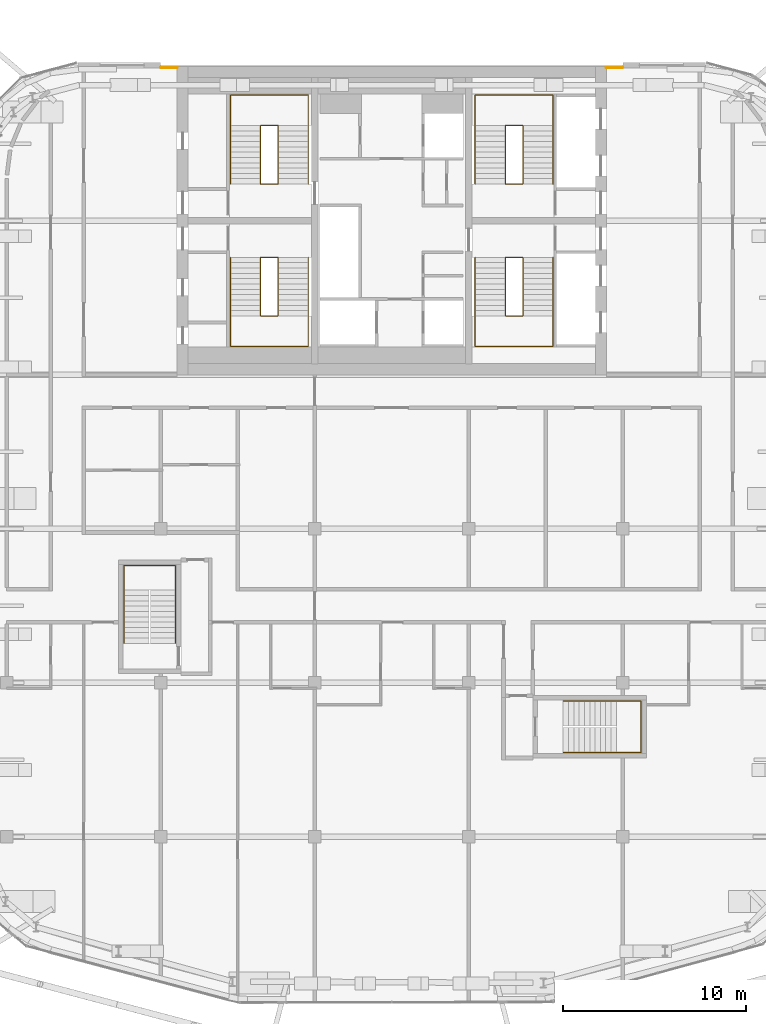
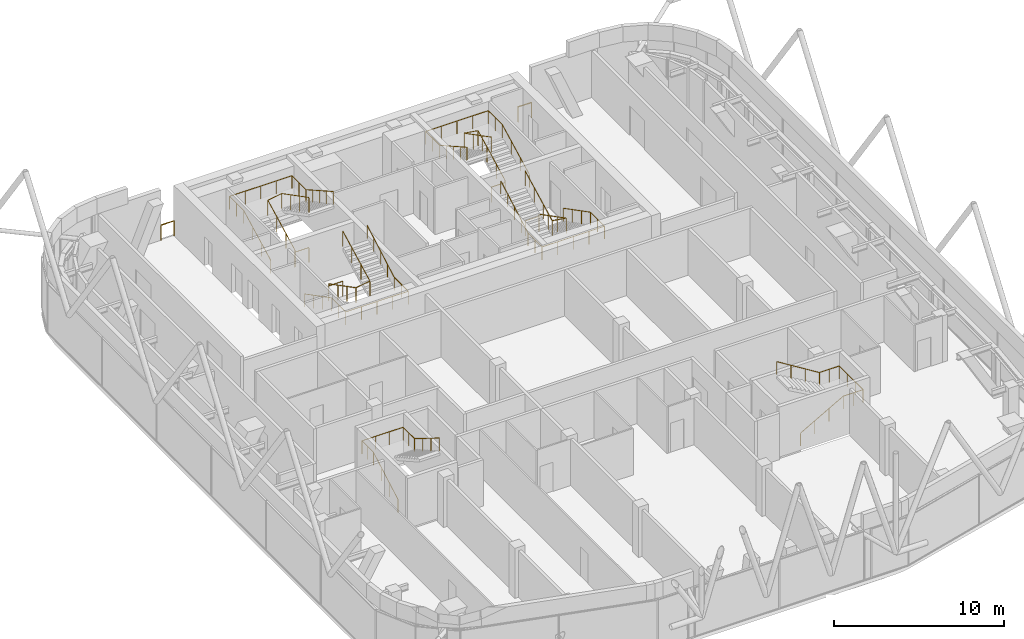
# One storey, part 25 of 25: 12 railings.
"""IFC4 building model written with IfcOpenShell, lengths in metres."""

from ifc_helpers import new_model, si_unit, direction, frame, origin, origin_2d, place, context, subcontext, project, spatial, circle, extrude, material, type_object, element, save


model = new_model("IFC4")

# Units and contexts
model_context = context("Model", 3, precision=1e-05, world=origin(), true_north=direction((0.0, 1.0)))
body_context = subcontext(model_context, "Body", "Model", "MODEL_VIEW")
ifc_project = project(units=[si_unit("LENGTHUNIT", "METRE"), si_unit("AREAUNIT", "SQUARE_METRE"), si_unit("VOLUMEUNIT", "CUBIC_METRE"), si_unit("PLANEANGLEUNIT", "RADIAN"), si_unit("MASSUNIT", "GRAM", prefix="KILO")], contexts=[model_context])

# Site, building, storey
site_placement = place(None, origin())
site = spatial("IfcSite", under=ifc_project, at=site_placement, CompositionType="ELEMENT")
building_placement = place(site_placement, origin())
building = spatial("IfcBuilding", under=site, at=building_placement, Name="Marenta Gate Hotel Tower", CompositionType="ELEMENT")
storey_placement = place(building_placement, frame((0.0, 0.0, 277.699951171875)))
storey = spatial("IfcBuildingStorey", under=building, at=storey_placement, Name="L64", CompositionType="ELEMENT", Elevation=277.699951171875)

# Railings
ifc_material_1 = material(Name="Stainless steel", Category="steel")
railing_type_1 = type_object("IfcRailingType", Name="Core stair handrail 950", PredefinedType="HANDRAIL", material=ifc_material_1)
railing_1_placement = place(storey_placement, frame((-8.800048828125, 6.39990234375, 0.150146484375)))
element("IfcRailing", 1, at=railing_1_placement, inside=storey, type_object=railing_type_1, Name="HR-950 L64-KR-ST1-1", PredefinedType="HANDRAIL", context=body_context, shape_type="SweptSolid", body=[
    extrude(circle(Radius=0.02392578125, at=origin_2d()), frame((0.0, 0.0, 0.92578125), z_axis=(0.0, -0.888225295554, 0.459408123936), x_axis=(1.0, 0.0, 0.0)), (0.0, 0.0, 1.0), 3.59130859375),
    extrude(circle(Radius=0.02392578125, at=origin_2d()), frame((0.0, -3.18994140625, 2.57568359375), z_axis=(0.0, -1.0, 0.0), x_axis=(1.0, 0.0, 0.0)), (0.0, 0.0, 1.0), 1.659912109375),
    extrude(circle(Radius=0.02392578125, at=origin_2d()), frame((0.0, -4.849853515625, 2.57568359375), z_axis=(1.0, 0.0, 0.0), x_axis=(0.0, 1.0, 0.0)), (0.0, 0.0, 1.0), 4.25),
    extrude(circle(Radius=0.02392578125, at=origin_2d()), frame((4.25, -4.849853515625, 2.57568359375), z_axis=(0.0, 1.0, 0.0), x_axis=(-1.0, 0.0, 0.0)), (0.0, 0.0, 1.0), 1.659912109375),
    extrude(circle(Radius=0.02392578125, at=origin_2d()), frame((4.25, -3.18994140625, 2.57568359375), z_axis=(0.0, 0.87090897868, 0.491444351738), x_axis=(-1.0, 0.0, 0.0)), (0.0, 0.0, 1.0), 3.662841796875),
    extrude(circle(Radius=0.02099609375, at=origin_2d()), origin(), (0.0, 0.0, 1.0), 0.90185546875),
    extrude(circle(Radius=0.02099609375, at=origin_2d()), frame((0.0, -1.063232421875, 0.550048828125)), (0.0, 0.0, 1.0), 0.90185546875),
    extrude(circle(Radius=0.02099609375, at=origin_2d()), frame((0.0, -2.126708984375, 1.099853515625)), (0.0, 0.0, 1.0), 0.90185546875),
    extrude(circle(Radius=0.02099609375, at=origin_2d()), frame((0.0, -3.18994140625, 1.64990234375)), (0.0, 0.0, 1.0), 0.90185546875),
    extrude(circle(Radius=0.02099609375, at=origin_2d()), frame((0.0, -4.02001953125, 1.64990234375)), (0.0, 0.0, 1.0), 0.90185546875),
    extrude(circle(Radius=0.02099609375, at=origin_2d()), frame((0.0, -4.849853515625, 1.64990234375)), (0.0, 0.0, 1.0), 0.90185546875),
    extrude(circle(Radius=0.02099609375, at=origin_2d()), frame((1.0625, -4.849853515625, 1.64990234375)), (0.0, 0.0, 1.0), 0.90185546875),
    extrude(circle(Radius=0.02099609375, at=origin_2d()), frame((2.125, -4.849853515625, 1.64990234375)), (0.0, 0.0, 1.0), 0.90185546875),
    extrude(circle(Radius=0.02099609375, at=origin_2d()), frame((3.1875, -4.849853515625, 1.64990234375)), (0.0, 0.0, 1.0), 0.90185546875),
    extrude(circle(Radius=0.02099609375, at=origin_2d()), frame((4.25, -4.849853515625, 1.64990234375)), (0.0, 0.0, 1.0), 0.90185546875),
    extrude(circle(Radius=0.02099609375, at=origin_2d()), frame((4.25, -4.02001953125, 1.64990234375)), (0.0, 0.0, 1.0), 0.90185546875),
    extrude(circle(Radius=0.02099609375, at=origin_2d()), frame((4.25, -3.18994140625, 1.64990234375)), (0.0, 0.0, 1.0), 0.90185546875),
    extrude(circle(Radius=0.02099609375, at=origin_2d()), frame((4.25, -2.392578125, 2.099853515625)), (0.0, 0.0, 1.0), 0.90185546875),
    extrude(circle(Radius=0.02099609375, at=origin_2d()), frame((4.25, -1.594970703125, 2.5498046875)), (0.0, 0.0, 1.0), 0.90185546875),
    extrude(circle(Radius=0.02099609375, at=origin_2d()), frame((4.25, -0.79736328125, 3.0)), (0.0, 0.0, 1.0), 0.90185546875),
    extrude(circle(Radius=0.02099609375, at=origin_2d()), frame((4.25, 0.0, 3.449951171875)), (0.0, 0.0, 1.0), 0.90185546875),
])
railing_2_placement = place(storey_placement, frame((-8.800048828125, 10.39990234375, 0.150146484375)))
element("IfcRailing", 2, at=railing_2_placement, inside=storey, type_object=railing_type_1, Name="HR-950 L64-KR-ST2-1", PredefinedType="HANDRAIL", context=body_context, shape_type="SweptSolid", body=[
    extrude(circle(Radius=0.02392578125, at=origin_2d()), frame((0.0, 0.0, 0.92578125), z_axis=(0.0, 0.888239641807, 0.459380385653), x_axis=(-1.0, 0.0, 0.0)), (0.0, 0.0, 1.0), 3.591552734375),
    extrude(circle(Radius=0.02392578125, at=origin_2d()), frame((0.0, 3.190185546875, 2.57568359375), z_axis=(0.0, 1.0, 0.0), x_axis=(-1.0, 0.0, 0.0)), (0.0, 0.0, 1.0), 1.659912109375),
    extrude(circle(Radius=0.02392578125, at=origin_2d()), frame((0.0, 4.85009765625, 2.57568359375), z_axis=(1.0, 0.0, 0.0), x_axis=(0.0, 1.0, 0.0)), (0.0, 0.0, 1.0), 4.25),
    extrude(circle(Radius=0.02392578125, at=origin_2d()), frame((4.25, 4.85009765625, 2.57568359375), z_axis=(0.0, -1.0, 0.0), x_axis=(1.0, 0.0, 0.0)), (0.0, 0.0, 1.0), 1.659912109375),
    extrude(circle(Radius=0.02392578125, at=origin_2d()), frame((4.25, 3.190185546875, 2.57568359375), z_axis=(0.0, -0.870925075533, 0.491415824742), x_axis=(1.0, 0.0, 0.0)), (0.0, 0.0, 1.0), 3.6630859375),
    extrude(circle(Radius=0.02099609375, at=origin_2d()), origin(), (0.0, 0.0, 1.0), 0.90185546875),
    extrude(circle(Radius=0.02099609375, at=origin_2d()), frame((0.0, 1.0634765625, 0.550048828125)), (0.0, 0.0, 1.0), 0.90185546875),
    extrude(circle(Radius=0.02099609375, at=origin_2d()), frame((0.0, 2.126708984375, 1.099853515625)), (0.0, 0.0, 1.0), 0.90185546875),
    extrude(circle(Radius=0.02099609375, at=origin_2d()), frame((0.0, 3.190185546875, 1.64990234375)), (0.0, 0.0, 1.0), 0.90185546875),
    extrude(circle(Radius=0.02099609375, at=origin_2d()), frame((0.0, 4.02001953125, 1.64990234375)), (0.0, 0.0, 1.0), 0.90185546875),
    extrude(circle(Radius=0.02099609375, at=origin_2d()), frame((0.0, 4.85009765625, 1.64990234375)), (0.0, 0.0, 1.0), 0.90185546875),
    extrude(circle(Radius=0.02099609375, at=origin_2d()), frame((1.0625, 4.85009765625, 1.64990234375)), (0.0, 0.0, 1.0), 0.90185546875),
    extrude(circle(Radius=0.02099609375, at=origin_2d()), frame((2.125, 4.85009765625, 1.64990234375)), (0.0, 0.0, 1.0), 0.90185546875),
    extrude(circle(Radius=0.02099609375, at=origin_2d()), frame((3.1875, 4.85009765625, 1.64990234375)), (0.0, 0.0, 1.0), 0.90185546875),
    extrude(circle(Radius=0.02099609375, at=origin_2d()), frame((4.25, 4.85009765625, 1.64990234375)), (0.0, 0.0, 1.0), 0.90185546875),
    extrude(circle(Radius=0.02099609375, at=origin_2d()), frame((4.25, 4.02001953125, 1.64990234375)), (0.0, 0.0, 1.0), 0.90185546875),
    extrude(circle(Radius=0.02099609375, at=origin_2d()), frame((4.25, 3.190185546875, 1.64990234375)), (0.0, 0.0, 1.0), 0.90185546875),
    extrude(circle(Radius=0.02099609375, at=origin_2d()), frame((4.25, 2.392578125, 2.099853515625)), (0.0, 0.0, 1.0), 0.90185546875),
    extrude(circle(Radius=0.02099609375, at=origin_2d()), frame((4.25, 1.59521484375, 2.5498046875)), (0.0, 0.0, 1.0), 0.90185546875),
    extrude(circle(Radius=0.02099609375, at=origin_2d()), frame((4.25, 0.797607421875, 3.0)), (0.0, 0.0, 1.0), 0.90185546875),
    extrude(circle(Radius=0.02099609375, at=origin_2d()), frame((4.25, 0.0, 3.449951171875)), (0.0, 0.0, 1.0), 0.90185546875),
])
railing_3_placement = place(storey_placement, frame((8.800048828125, 6.39990234375, 0.150146484375)))
element("IfcRailing", 3, at=railing_3_placement, inside=storey, type_object=railing_type_1, Name="HR-950 L64-KR-ST3-1", PredefinedType="HANDRAIL", context=body_context, shape_type="SweptSolid", body=[
    extrude(circle(Radius=0.02392578125, at=origin_2d()), frame((0.0, 0.0, 0.92578125), z_axis=(0.0, -0.888225295554, 0.459408123936), x_axis=(1.0, 0.0, 0.0)), (0.0, 0.0, 1.0), 3.59130859375),
    extrude(circle(Radius=0.02392578125, at=origin_2d()), frame((0.0, -3.18994140625, 2.57568359375), z_axis=(0.0, -1.0, 0.0), x_axis=(1.0, 0.0, 0.0)), (0.0, 0.0, 1.0), 1.659912109375),
    extrude(circle(Radius=0.02392578125, at=origin_2d()), frame((0.0, -4.849853515625, 2.57568359375), z_axis=(-1.0, 0.0, 0.0), x_axis=(0.0, -1.0, 0.0)), (0.0, 0.0, 1.0), 4.25),
    extrude(circle(Radius=0.02392578125, at=origin_2d()), frame((-4.25, -4.849853515625, 2.57568359375), z_axis=(0.0, 1.0, 0.0), x_axis=(-1.0, 0.0, 0.0)), (0.0, 0.0, 1.0), 1.659912109375),
    extrude(circle(Radius=0.02392578125, at=origin_2d()), frame((-4.25, -3.18994140625, 2.57568359375), z_axis=(0.0, 0.87090897868, 0.491444351738), x_axis=(-1.0, 0.0, 0.0)), (0.0, 0.0, 1.0), 3.662841796875),
    extrude(circle(Radius=0.02099609375, at=origin_2d()), origin(), (0.0, 0.0, 1.0), 0.90185546875),
    extrude(circle(Radius=0.02099609375, at=origin_2d()), frame((0.0, -1.063232421875, 0.550048828125)), (0.0, 0.0, 1.0), 0.90185546875),
    extrude(circle(Radius=0.02099609375, at=origin_2d()), frame((0.0, -2.126708984375, 1.099853515625)), (0.0, 0.0, 1.0), 0.90185546875),
    extrude(circle(Radius=0.02099609375, at=origin_2d()), frame((0.0, -3.18994140625, 1.64990234375)), (0.0, 0.0, 1.0), 0.90185546875),
    extrude(circle(Radius=0.02099609375, at=origin_2d()), frame((0.0, -4.02001953125, 1.64990234375)), (0.0, 0.0, 1.0), 0.90185546875),
    extrude(circle(Radius=0.02099609375, at=origin_2d()), frame((0.0, -4.849853515625, 1.64990234375)), (0.0, 0.0, 1.0), 0.90185546875),
    extrude(circle(Radius=0.02099609375, at=origin_2d()), frame((-1.0625, -4.849853515625, 1.64990234375)), (0.0, 0.0, 1.0), 0.90185546875),
    extrude(circle(Radius=0.02099609375, at=origin_2d()), frame((-2.125, -4.849853515625, 1.64990234375)), (0.0, 0.0, 1.0), 0.90185546875),
    extrude(circle(Radius=0.02099609375, at=origin_2d()), frame((-3.1875, -4.849853515625, 1.64990234375)), (0.0, 0.0, 1.0), 0.90185546875),
    extrude(circle(Radius=0.02099609375, at=origin_2d()), frame((-4.25, -4.849853515625, 1.64990234375)), (0.0, 0.0, 1.0), 0.90185546875),
    extrude(circle(Radius=0.02099609375, at=origin_2d()), frame((-4.25, -4.02001953125, 1.64990234375)), (0.0, 0.0, 1.0), 0.90185546875),
    extrude(circle(Radius=0.02099609375, at=origin_2d()), frame((-4.25, -3.18994140625, 1.64990234375)), (0.0, 0.0, 1.0), 0.90185546875),
    extrude(circle(Radius=0.02099609375, at=origin_2d()), frame((-4.25, -2.392578125, 2.099853515625)), (0.0, 0.0, 1.0), 0.90185546875),
    extrude(circle(Radius=0.02099609375, at=origin_2d()), frame((-4.25, -1.594970703125, 2.5498046875)), (0.0, 0.0, 1.0), 0.90185546875),
    extrude(circle(Radius=0.02099609375, at=origin_2d()), frame((-4.25, -0.79736328125, 3.0)), (0.0, 0.0, 1.0), 0.90185546875),
    extrude(circle(Radius=0.02099609375, at=origin_2d()), frame((-4.25, 0.0, 3.449951171875)), (0.0, 0.0, 1.0), 0.90185546875),
])
railing_4_placement = place(storey_placement, frame((8.800048828125, 10.39990234375, 0.150146484375)))
element("IfcRailing", 4, at=railing_4_placement, inside=storey, type_object=railing_type_1, Name="HR-950 L64-KR-ST4-1", PredefinedType="HANDRAIL", context=body_context, shape_type="SweptSolid", body=[
    extrude(circle(Radius=0.02392578125, at=origin_2d()), frame((0.0, 0.0, 0.92578125), z_axis=(0.0, 0.888239641807, 0.459380385653), x_axis=(-1.0, 0.0, 0.0)), (0.0, 0.0, 1.0), 3.591552734375),
    extrude(circle(Radius=0.02392578125, at=origin_2d()), frame((0.0, 3.190185546875, 2.57568359375), z_axis=(0.0, 1.0, 0.0), x_axis=(-1.0, 0.0, 0.0)), (0.0, 0.0, 1.0), 1.659912109375),
    extrude(circle(Radius=0.02392578125, at=origin_2d()), frame((0.0, 4.85009765625, 2.57568359375), z_axis=(-1.0, 0.0, 0.0), x_axis=(0.0, -1.0, 0.0)), (0.0, 0.0, 1.0), 4.25),
    extrude(circle(Radius=0.02392578125, at=origin_2d()), frame((-4.25, 4.85009765625, 2.57568359375), z_axis=(0.0, -1.0, 0.0), x_axis=(1.0, 0.0, 0.0)), (0.0, 0.0, 1.0), 1.659912109375),
    extrude(circle(Radius=0.02392578125, at=origin_2d()), frame((-4.25, 3.190185546875, 2.57568359375), z_axis=(0.0, -0.870925075533, 0.491415824742), x_axis=(1.0, 0.0, 0.0)), (0.0, 0.0, 1.0), 3.6630859375),
    extrude(circle(Radius=0.02099609375, at=origin_2d()), origin(), (0.0, 0.0, 1.0), 0.90185546875),
    extrude(circle(Radius=0.02099609375, at=origin_2d()), frame((0.0, 1.0634765625, 0.550048828125)), (0.0, 0.0, 1.0), 0.90185546875),
    extrude(circle(Radius=0.02099609375, at=origin_2d()), frame((0.0, 2.126708984375, 1.099853515625)), (0.0, 0.0, 1.0), 0.90185546875),
    extrude(circle(Radius=0.02099609375, at=origin_2d()), frame((0.0, 3.190185546875, 1.64990234375)), (0.0, 0.0, 1.0), 0.90185546875),
    extrude(circle(Radius=0.02099609375, at=origin_2d()), frame((0.0, 4.02001953125, 1.64990234375)), (0.0, 0.0, 1.0), 0.90185546875),
    extrude(circle(Radius=0.02099609375, at=origin_2d()), frame((0.0, 4.85009765625, 1.64990234375)), (0.0, 0.0, 1.0), 0.90185546875),
    extrude(circle(Radius=0.02099609375, at=origin_2d()), frame((-1.0625, 4.85009765625, 1.64990234375)), (0.0, 0.0, 1.0), 0.90185546875),
    extrude(circle(Radius=0.02099609375, at=origin_2d()), frame((-2.125, 4.85009765625, 1.64990234375)), (0.0, 0.0, 1.0), 0.90185546875),
    extrude(circle(Radius=0.02099609375, at=origin_2d()), frame((-3.1875, 4.85009765625, 1.64990234375)), (0.0, 0.0, 1.0), 0.90185546875),
    extrude(circle(Radius=0.02099609375, at=origin_2d()), frame((-4.25, 4.85009765625, 1.64990234375)), (0.0, 0.0, 1.0), 0.90185546875),
    extrude(circle(Radius=0.02099609375, at=origin_2d()), frame((-4.25, 4.02001953125, 1.64990234375)), (0.0, 0.0, 1.0), 0.90185546875),
    extrude(circle(Radius=0.02099609375, at=origin_2d()), frame((-4.25, 3.190185546875, 1.64990234375)), (0.0, 0.0, 1.0), 0.90185546875),
    extrude(circle(Radius=0.02099609375, at=origin_2d()), frame((-4.25, 2.392578125, 2.099853515625)), (0.0, 0.0, 1.0), 0.90185546875),
    extrude(circle(Radius=0.02099609375, at=origin_2d()), frame((-4.25, 1.59521484375, 2.5498046875)), (0.0, 0.0, 1.0), 0.90185546875),
    extrude(circle(Radius=0.02099609375, at=origin_2d()), frame((-4.25, 0.797607421875, 3.0)), (0.0, 0.0, 1.0), 0.90185546875),
    extrude(circle(Radius=0.02099609375, at=origin_2d()), frame((-4.25, 0.0, 3.449951171875)), (0.0, 0.0, 1.0), 0.90185546875),
])
railing_5_placement = place(storey_placement, frame((9.35009765625, -20.60009765625, 0.16357421875)))
element("IfcRailing", 5, at=railing_5_placement, inside=storey, type_object=railing_type_1, Name="HR-950 L64-RS-Z4-1-KR-1", PredefinedType="HANDRAIL", context=body_context, shape_type="SweptSolid", body=[
    extrude(circle(Radius=0.02392578125, at=origin_2d()), frame((0.0, 0.0, 0.92578125), z_axis=(0.870897200241, 0.0, 0.491465224214), x_axis=(0.0, 1.0, 0.0)), (0.0, 0.0, 1.0), 3.329833984375),
    extrude(circle(Radius=0.02392578125, at=origin_2d()), frame((2.89990234375, 0.0, 2.5625), z_axis=(1.0, 0.0, 0.0), x_axis=(0.0, 1.0, 0.0)), (0.0, 0.0, 1.0), 1.35009765625),
    extrude(circle(Radius=0.02392578125, at=origin_2d()), frame((4.25, 0.0, 2.5625), z_axis=(0.0, 1.0, 0.0), x_axis=(-1.0, 0.0, 0.0)), (0.0, 0.0, 1.0), 2.800048828125),
    extrude(circle(Radius=0.02392578125, at=origin_2d()), frame((4.25, 2.800048828125, 2.5625), z_axis=(-1.0, 0.0, 0.0), x_axis=(0.0, -1.0, 0.0)), (0.0, 0.0, 1.0), 1.35009765625),
    extrude(circle(Radius=0.02392578125, at=origin_2d()), frame((2.89990234375, 2.800048828125, 2.5625), z_axis=(-0.849625798611, 0.0, 0.527386008853), x_axis=(0.0, -1.0, 0.0)), (0.0, 0.0, 1.0), 3.4130859375),
    extrude(circle(Radius=0.02099609375, at=origin_2d()), origin(), (0.0, 0.0, 1.0), 0.90185546875),
    extrude(circle(Radius=0.02099609375, at=origin_2d()), frame((0.966552734375, 0.0, 0.54541015625)), (0.0, 0.0, 1.0), 0.90185546875),
    extrude(circle(Radius=0.02099609375, at=origin_2d()), frame((1.933349609375, 0.0, 1.091064453125)), (0.0, 0.0, 1.0), 0.90185546875),
    extrude(circle(Radius=0.02099609375, at=origin_2d()), frame((2.89990234375, 0.0, 1.636474609375)), (0.0, 0.0, 1.0), 0.90185546875),
    extrude(circle(Radius=0.02099609375, at=origin_2d()), frame((3.574951171875, 0.0, 1.636474609375)), (0.0, 0.0, 1.0), 0.90185546875),
    extrude(circle(Radius=0.02099609375, at=origin_2d()), frame((4.25, 0.0, 1.636474609375)), (0.0, 0.0, 1.0), 0.90185546875),
    extrude(circle(Radius=0.02099609375, at=origin_2d()), frame((4.25, 0.933349609375, 1.636474609375)), (0.0, 0.0, 1.0), 0.90185546875),
    extrude(circle(Radius=0.02099609375, at=origin_2d()), frame((4.25, 1.86669921875, 1.636474609375)), (0.0, 0.0, 1.0), 0.90185546875),
    extrude(circle(Radius=0.02099609375, at=origin_2d()), frame((4.25, 2.800048828125, 1.636474609375)), (0.0, 0.0, 1.0), 0.90185546875),
    extrude(circle(Radius=0.02099609375, at=origin_2d()), frame((3.574951171875, 2.800048828125, 1.636474609375)), (0.0, 0.0, 1.0), 0.90185546875),
    extrude(circle(Radius=0.02099609375, at=origin_2d()), frame((2.89990234375, 2.800048828125, 1.636474609375)), (0.0, 0.0, 1.0), 0.90185546875),
    extrude(circle(Radius=0.02099609375, at=origin_2d()), frame((1.933349609375, 2.800048828125, 2.236572265625)), (0.0, 0.0, 1.0), 0.90185546875),
    extrude(circle(Radius=0.02099609375, at=origin_2d()), frame((0.966552734375, 2.800048828125, 2.83642578125)), (0.0, 0.0, 1.0), 0.90185546875),
    extrude(circle(Radius=0.02099609375, at=origin_2d()), frame((0.0, 2.800048828125, 3.4365234375)), (0.0, 0.0, 1.0), 0.90185546875),
])
railing_6_placement = place(storey_placement, frame((-14.60009765625, -14.64990234375, 0.16357421875)))
element("IfcRailing", 6, at=railing_6_placement, inside=storey, type_object=railing_type_1, Name="HR-950 L64-RS-Z4-2-KR-1", PredefinedType="HANDRAIL", context=body_context, shape_type="SweptSolid", body=[
    extrude(circle(Radius=0.02392578125, at=origin_2d()), frame((0.0, 0.0, 0.92578125), z_axis=(0.0, 0.870897200241, 0.491465224214), x_axis=(-1.0, 0.0, 0.0)), (0.0, 0.0, 1.0), 3.329833984375),
    extrude(circle(Radius=0.02392578125, at=origin_2d()), frame((0.0, 2.89990234375, 2.5625), z_axis=(0.0, 1.0, 0.0), x_axis=(-1.0, 0.0, 0.0)), (0.0, 0.0, 1.0), 1.35009765625),
    extrude(circle(Radius=0.02392578125, at=origin_2d()), frame((0.0, 4.25, 2.5625), z_axis=(1.0, 0.0, 0.0), x_axis=(0.0, 1.0, 0.0)), (0.0, 0.0, 1.0), 2.800048828125),
    extrude(circle(Radius=0.02392578125, at=origin_2d()), frame((2.800048828125, 4.25, 2.5625), z_axis=(0.0, -1.0, 0.0), x_axis=(1.0, 0.0, 0.0)), (0.0, 0.0, 1.0), 1.35009765625),
    extrude(circle(Radius=0.02392578125, at=origin_2d()), frame((2.800048828125, 2.89990234375, 2.5625), z_axis=(0.0, -0.849625798611, 0.527386008853), x_axis=(1.0, 0.0, 0.0)), (0.0, 0.0, 1.0), 3.4130859375),
    extrude(circle(Radius=0.02099609375, at=origin_2d()), origin(), (0.0, 0.0, 1.0), 0.90185546875),
    extrude(circle(Radius=0.02099609375, at=origin_2d()), frame((0.0, 0.966552734375, 0.54541015625)), (0.0, 0.0, 1.0), 0.90185546875),
    extrude(circle(Radius=0.02099609375, at=origin_2d()), frame((0.0, 1.933349609375, 1.091064453125)), (0.0, 0.0, 1.0), 0.90185546875),
    extrude(circle(Radius=0.02099609375, at=origin_2d()), frame((0.0, 2.89990234375, 1.636474609375)), (0.0, 0.0, 1.0), 0.90185546875),
    extrude(circle(Radius=0.02099609375, at=origin_2d()), frame((0.0, 3.574951171875, 1.636474609375)), (0.0, 0.0, 1.0), 0.90185546875),
    extrude(circle(Radius=0.02099609375, at=origin_2d()), frame((0.0, 4.25, 1.636474609375)), (0.0, 0.0, 1.0), 0.90185546875),
    extrude(circle(Radius=0.02099609375, at=origin_2d()), frame((0.933349609375, 4.25, 1.636474609375)), (0.0, 0.0, 1.0), 0.90185546875),
    extrude(circle(Radius=0.02099609375, at=origin_2d()), frame((1.86669921875, 4.25, 1.636474609375)), (0.0, 0.0, 1.0), 0.90185546875),
    extrude(circle(Radius=0.02099609375, at=origin_2d()), frame((2.800048828125, 4.25, 1.636474609375)), (0.0, 0.0, 1.0), 0.90185546875),
    extrude(circle(Radius=0.02099609375, at=origin_2d()), frame((2.800048828125, 3.574951171875, 1.636474609375)), (0.0, 0.0, 1.0), 0.90185546875),
    extrude(circle(Radius=0.02099609375, at=origin_2d()), frame((2.800048828125, 2.89990234375, 1.636474609375)), (0.0, 0.0, 1.0), 0.90185546875),
    extrude(circle(Radius=0.02099609375, at=origin_2d()), frame((2.800048828125, 1.933349609375, 2.236572265625)), (0.0, 0.0, 1.0), 0.90185546875),
    extrude(circle(Radius=0.02099609375, at=origin_2d()), frame((2.800048828125, 0.966552734375, 2.83642578125)), (0.0, 0.0, 1.0), 0.90185546875),
    extrude(circle(Radius=0.02099609375, at=origin_2d()), frame((2.800048828125, 0.0, 3.4365234375)), (0.0, 0.0, 1.0), 0.90185546875),
])
ifc_material_2 = material(Name="Stainless steel", Category="steel")
railing_type_2 = type_object("IfcRailingType", Name="Core stair well guard 1100", PredefinedType="GUARDRAIL", material=ifc_material_2)
railing_7_placement = place(storey_placement, frame((-6.199951171875, 6.39990234375, 0.0)))
element("IfcRailing", 7, at=railing_7_placement, inside=storey, type_object=railing_type_2, Name="GR-1100 L64-KR-ST1-2", PredefinedType="GUARDRAIL", context=body_context, shape_type="SweptSolid", body=[
    extrude(circle(Radius=0.02392578125, at=origin_2d()), frame((0.0, 0.0, 1.076171875), z_axis=(-1.0, 0.0, 0.0), x_axis=(0.0, -1.0, 0.0)), (0.0, 0.0, 1.0), 0.949951171875),
    extrude(circle(Radius=0.02392578125, at=origin_2d()), frame((-0.949951171875, 0.0, 1.076171875), z_axis=(0.0, 0.0, 1.0), x_axis=(1.0, 0.0, 0.0)), (0.0, 0.0, 1.0), 0.150146484375),
    extrude(circle(Radius=0.02392578125, at=origin_2d()), frame((-0.949951171875, 0.0, 1.22607421875), z_axis=(0.0, -0.888225295554, 0.459408123936), x_axis=(1.0, 0.0, 0.0)), (0.0, 0.0, 1.0), 3.59130859375),
    extrude(circle(Radius=0.02392578125, at=origin_2d()), frame((-0.949951171875, -3.18994140625, 2.8759765625), z_axis=(0.987777369502, 0.0, 0.15587131968), x_axis=(0.0, 1.0, 0.0)), (0.0, 0.0, 1.0), 0.961669921875),
    extrude(circle(Radius=0.02392578125, at=origin_2d()), frame((0.0, -3.18994140625, 3.02587890625), z_axis=(0.0, 0.888197555067, 0.459461753765), x_axis=(-1.0, 0.0, 0.0)), (0.0, 0.0, 1.0), 3.591552734375),
    extrude(circle(Radius=0.02099609375, at=origin_2d()), origin(), (0.0, 0.0, 1.0), 1.052001953125),
    extrude(circle(Radius=0.02099609375, at=origin_2d()), frame((-0.949951171875, 0.0, 0.0)), (0.0, 0.0, 1.0), 1.052001953125),
    extrude(circle(Radius=0.02099609375, at=origin_2d()), frame((-0.949951171875, 0.0, 0.150146484375)), (0.0, 0.0, 1.0), 1.052001953125),
    extrude(circle(Radius=0.02099609375, at=origin_2d()), frame((-0.949951171875, -1.063232421875, 0.7001953125)), (0.0, 0.0, 1.0), 1.052001953125),
    extrude(circle(Radius=0.02099609375, at=origin_2d()), frame((-0.949951171875, -2.126708984375, 1.25)), (0.0, 0.0, 1.0), 1.052001953125),
    extrude(circle(Radius=0.02099609375, at=origin_2d()), frame((-0.949951171875, -3.18994140625, 1.800048828125)), (0.0, 0.0, 1.0), 1.052001953125),
    extrude(circle(Radius=0.02099609375, at=origin_2d()), frame((0.0, -3.18994140625, 1.949951171875)), (0.0, 0.0, 1.0), 1.052001953125),
    extrude(circle(Radius=0.02099609375, at=origin_2d()), frame((0.0, -2.126708984375, 2.5)), (0.0, 0.0, 1.0), 1.052001953125),
    extrude(circle(Radius=0.02099609375, at=origin_2d()), frame((0.0, -1.063232421875, 3.050048828125)), (0.0, 0.0, 1.0), 1.052001953125),
    extrude(circle(Radius=0.02099609375, at=origin_2d()), frame((0.0, 0.0, 3.60009765625)), (0.0, 0.0, 1.0), 1.052001953125),
])
railing_8_placement = place(storey_placement, frame((-6.199951171875, 10.39990234375, 0.0)))
element("IfcRailing", 8, at=railing_8_placement, inside=storey, type_object=railing_type_2, Name="GR-1100 L64-KR-ST2-2", PredefinedType="GUARDRAIL", context=body_context, shape_type="SweptSolid", body=[
    extrude(circle(Radius=0.02392578125, at=origin_2d()), frame((0.0, 0.0, 1.076171875), z_axis=(-1.0, 0.0, 0.0), x_axis=(0.0, -1.0, 0.0)), (0.0, 0.0, 1.0), 0.949951171875),
    extrude(circle(Radius=0.02392578125, at=origin_2d()), frame((-0.949951171875, 0.0, 1.076171875), z_axis=(0.0, 0.0, 1.0), x_axis=(1.0, 0.0, 0.0)), (0.0, 0.0, 1.0), 0.150146484375),
    extrude(circle(Radius=0.02392578125, at=origin_2d()), frame((-0.949951171875, 0.0, 1.22607421875), z_axis=(0.0, 0.888239641807, 0.459380385653), x_axis=(-1.0, 0.0, 0.0)), (0.0, 0.0, 1.0), 3.591552734375),
    extrude(circle(Radius=0.02392578125, at=origin_2d()), frame((-0.949951171875, 3.190185546875, 2.8759765625), z_axis=(0.987777369502, 0.0, 0.15587131968), x_axis=(0.0, 1.0, 0.0)), (0.0, 0.0, 1.0), 0.961669921875),
    extrude(circle(Radius=0.02392578125, at=origin_2d()), frame((0.0, 3.190185546875, 3.02587890625), z_axis=(0.0, -0.888211904222, 0.459434013977), x_axis=(1.0, 0.0, 0.0)), (0.0, 0.0, 1.0), 3.591796875),
    extrude(circle(Radius=0.02099609375, at=origin_2d()), origin(), (0.0, 0.0, 1.0), 1.052001953125),
    extrude(circle(Radius=0.02099609375, at=origin_2d()), frame((-0.949951171875, 0.0, 0.0)), (0.0, 0.0, 1.0), 1.052001953125),
    extrude(circle(Radius=0.02099609375, at=origin_2d()), frame((-0.949951171875, 0.0, 0.150146484375)), (0.0, 0.0, 1.0), 1.052001953125),
    extrude(circle(Radius=0.02099609375, at=origin_2d()), frame((-0.949951171875, 1.0634765625, 0.7001953125)), (0.0, 0.0, 1.0), 1.052001953125),
    extrude(circle(Radius=0.02099609375, at=origin_2d()), frame((-0.949951171875, 2.126708984375, 1.25)), (0.0, 0.0, 1.0), 1.052001953125),
    extrude(circle(Radius=0.02099609375, at=origin_2d()), frame((-0.949951171875, 3.190185546875, 1.800048828125)), (0.0, 0.0, 1.0), 1.052001953125),
    extrude(circle(Radius=0.02099609375, at=origin_2d()), frame((0.0, 3.190185546875, 1.949951171875)), (0.0, 0.0, 1.0), 1.052001953125),
    extrude(circle(Radius=0.02099609375, at=origin_2d()), frame((0.0, 2.126708984375, 2.5)), (0.0, 0.0, 1.0), 1.052001953125),
    extrude(circle(Radius=0.02099609375, at=origin_2d()), frame((0.0, 1.0634765625, 3.050048828125)), (0.0, 0.0, 1.0), 1.052001953125),
    extrude(circle(Radius=0.02099609375, at=origin_2d()), frame((0.0, 0.0, 3.60009765625)), (0.0, 0.0, 1.0), 1.052001953125),
])
railing_9_placement = place(storey_placement, frame((6.199951171875, 6.39990234375, 0.0)))
element("IfcRailing", 9, at=railing_9_placement, inside=storey, type_object=railing_type_2, Name="GR-1100 L64-KR-ST3-2", PredefinedType="GUARDRAIL", context=body_context, shape_type="SweptSolid", body=[
    extrude(circle(Radius=0.02392578125, at=origin_2d()), frame((0.0, 0.0, 1.076171875), z_axis=(1.0, 0.0, 0.0), x_axis=(0.0, 1.0, 0.0)), (0.0, 0.0, 1.0), 0.949951171875),
    extrude(circle(Radius=0.02392578125, at=origin_2d()), frame((0.949951171875, 0.0, 1.076171875), z_axis=(0.0, 0.0, 1.0), x_axis=(1.0, 0.0, 0.0)), (0.0, 0.0, 1.0), 0.150146484375),
    extrude(circle(Radius=0.02392578125, at=origin_2d()), frame((0.949951171875, 0.0, 1.22607421875), z_axis=(0.0, -0.888225295554, 0.459408123936), x_axis=(1.0, 0.0, 0.0)), (0.0, 0.0, 1.0), 3.59130859375),
    extrude(circle(Radius=0.02392578125, at=origin_2d()), frame((0.949951171875, -3.18994140625, 2.8759765625), z_axis=(-0.987777369502, 0.0, 0.15587131968), x_axis=(0.0, -1.0, 0.0)), (0.0, 0.0, 1.0), 0.961669921875),
    extrude(circle(Radius=0.02392578125, at=origin_2d()), frame((0.0, -3.18994140625, 3.02587890625), z_axis=(0.0, 0.888197555067, 0.459461753765), x_axis=(-1.0, 0.0, 0.0)), (0.0, 0.0, 1.0), 3.591552734375),
    extrude(circle(Radius=0.02099609375, at=origin_2d()), origin(), (0.0, 0.0, 1.0), 1.052001953125),
    extrude(circle(Radius=0.02099609375, at=origin_2d()), frame((0.949951171875, 0.0, 0.0)), (0.0, 0.0, 1.0), 1.052001953125),
    extrude(circle(Radius=0.02099609375, at=origin_2d()), frame((0.949951171875, 0.0, 0.150146484375)), (0.0, 0.0, 1.0), 1.052001953125),
    extrude(circle(Radius=0.02099609375, at=origin_2d()), frame((0.949951171875, -1.063232421875, 0.7001953125)), (0.0, 0.0, 1.0), 1.052001953125),
    extrude(circle(Radius=0.02099609375, at=origin_2d()), frame((0.949951171875, -2.126708984375, 1.25)), (0.0, 0.0, 1.0), 1.052001953125),
    extrude(circle(Radius=0.02099609375, at=origin_2d()), frame((0.949951171875, -3.18994140625, 1.800048828125)), (0.0, 0.0, 1.0), 1.052001953125),
    extrude(circle(Radius=0.02099609375, at=origin_2d()), frame((0.0, -3.18994140625, 1.949951171875)), (0.0, 0.0, 1.0), 1.052001953125),
    extrude(circle(Radius=0.02099609375, at=origin_2d()), frame((0.0, -2.126708984375, 2.5)), (0.0, 0.0, 1.0), 1.052001953125),
    extrude(circle(Radius=0.02099609375, at=origin_2d()), frame((0.0, -1.063232421875, 3.050048828125)), (0.0, 0.0, 1.0), 1.052001953125),
    extrude(circle(Radius=0.02099609375, at=origin_2d()), frame((0.0, 0.0, 3.60009765625)), (0.0, 0.0, 1.0), 1.052001953125),
])
railing_10_placement = place(storey_placement, frame((6.199951171875, 10.39990234375, 0.0)))
element("IfcRailing", 10, at=railing_10_placement, inside=storey, type_object=railing_type_2, Name="GR-1100 L64-KR-ST4-2", PredefinedType="GUARDRAIL", context=body_context, shape_type="SweptSolid", body=[
    extrude(circle(Radius=0.02392578125, at=origin_2d()), frame((0.0, 0.0, 1.076171875), z_axis=(1.0, 0.0, 0.0), x_axis=(0.0, 1.0, 0.0)), (0.0, 0.0, 1.0), 0.949951171875),
    extrude(circle(Radius=0.02392578125, at=origin_2d()), frame((0.949951171875, 0.0, 1.076171875), z_axis=(0.0, 0.0, 1.0), x_axis=(1.0, 0.0, 0.0)), (0.0, 0.0, 1.0), 0.150146484375),
    extrude(circle(Radius=0.02392578125, at=origin_2d()), frame((0.949951171875, 0.0, 1.22607421875), z_axis=(0.0, 0.888239641807, 0.459380385653), x_axis=(-1.0, 0.0, 0.0)), (0.0, 0.0, 1.0), 3.591552734375),
    extrude(circle(Radius=0.02392578125, at=origin_2d()), frame((0.949951171875, 3.190185546875, 2.8759765625), z_axis=(-0.987777369502, 0.0, 0.15587131968), x_axis=(0.0, -1.0, 0.0)), (0.0, 0.0, 1.0), 0.961669921875),
    extrude(circle(Radius=0.02392578125, at=origin_2d()), frame((0.0, 3.190185546875, 3.02587890625), z_axis=(0.0, -0.888211904222, 0.459434013977), x_axis=(1.0, 0.0, 0.0)), (0.0, 0.0, 1.0), 3.591796875),
    extrude(circle(Radius=0.02099609375, at=origin_2d()), origin(), (0.0, 0.0, 1.0), 1.052001953125),
    extrude(circle(Radius=0.02099609375, at=origin_2d()), frame((0.949951171875, 0.0, 0.0)), (0.0, 0.0, 1.0), 1.052001953125),
    extrude(circle(Radius=0.02099609375, at=origin_2d()), frame((0.949951171875, 0.0, 0.150146484375)), (0.0, 0.0, 1.0), 1.052001953125),
    extrude(circle(Radius=0.02099609375, at=origin_2d()), frame((0.949951171875, 1.0634765625, 0.7001953125)), (0.0, 0.0, 1.0), 1.052001953125),
    extrude(circle(Radius=0.02099609375, at=origin_2d()), frame((0.949951171875, 2.126708984375, 1.25)), (0.0, 0.0, 1.0), 1.052001953125),
    extrude(circle(Radius=0.02099609375, at=origin_2d()), frame((0.949951171875, 3.190185546875, 1.800048828125)), (0.0, 0.0, 1.0), 1.052001953125),
    extrude(circle(Radius=0.02099609375, at=origin_2d()), frame((0.0, 3.190185546875, 1.949951171875)), (0.0, 0.0, 1.0), 1.052001953125),
    extrude(circle(Radius=0.02099609375, at=origin_2d()), frame((0.0, 2.126708984375, 2.5)), (0.0, 0.0, 1.0), 1.052001953125),
    extrude(circle(Radius=0.02099609375, at=origin_2d()), frame((0.0, 1.0634765625, 3.050048828125)), (0.0, 0.0, 1.0), 1.052001953125),
    extrude(circle(Radius=0.02099609375, at=origin_2d()), frame((0.0, 0.0, 3.60009765625)), (0.0, 0.0, 1.0), 1.052001953125),
])
ifc_material_3 = material(Name="Stainless steel", Category="steel")
railing_type_3 = type_object("IfcRailingType", Name="Slab edge guard 1100", PredefinedType="GUARDRAIL", material=ifc_material_3)
railing_11_placement = place(storey_placement, frame((11.699951171875, 16.75, 0.0)))
element("IfcRailing", 11, at=railing_11_placement, inside=storey, type_object=railing_type_3, Name="GR-1100E L64-KR-EGE-1", PredefinedType="GUARDRAIL", context=body_context, shape_type="SweptSolid", body=[
    extrude(circle(Radius=0.02392578125, at=origin_2d()), frame((0.0, 0.0, 1.076171875), z_axis=(1.0, 0.0, 0.0), x_axis=(0.0, 1.0, 0.0)), (0.0, 0.0, 1.0), 0.900146484375),
    extrude(circle(Radius=0.02099609375, at=origin_2d()), origin(), (0.0, 0.0, 1.0), 1.052001953125),
    extrude(circle(Radius=0.02099609375, at=origin_2d()), frame((0.900146484375, 0.0, 0.0)), (0.0, 0.0, 1.0), 1.052001953125),
])
railing_12_placement = place(storey_placement, frame((-11.699951171875, 16.75, 0.0)))
element("IfcRailing", 12, at=railing_12_placement, inside=storey, type_object=railing_type_3, Name="GR-1100E L64-KR-EGW-1", PredefinedType="GUARDRAIL", context=body_context, shape_type="SweptSolid", body=[
    extrude(circle(Radius=0.02392578125, at=origin_2d()), frame((0.0, 0.0, 1.076171875), z_axis=(-1.0, 0.0, 0.0), x_axis=(0.0, -1.0, 0.0)), (0.0, 0.0, 1.0), 0.900146484375),
    extrude(circle(Radius=0.02099609375, at=origin_2d()), origin(), (0.0, 0.0, 1.0), 1.052001953125),
    extrude(circle(Radius=0.02099609375, at=origin_2d()), frame((-0.900146484375, 0.0, 0.0)), (0.0, 0.0, 1.0), 1.052001953125),
])

save(model, "model.ifc")
